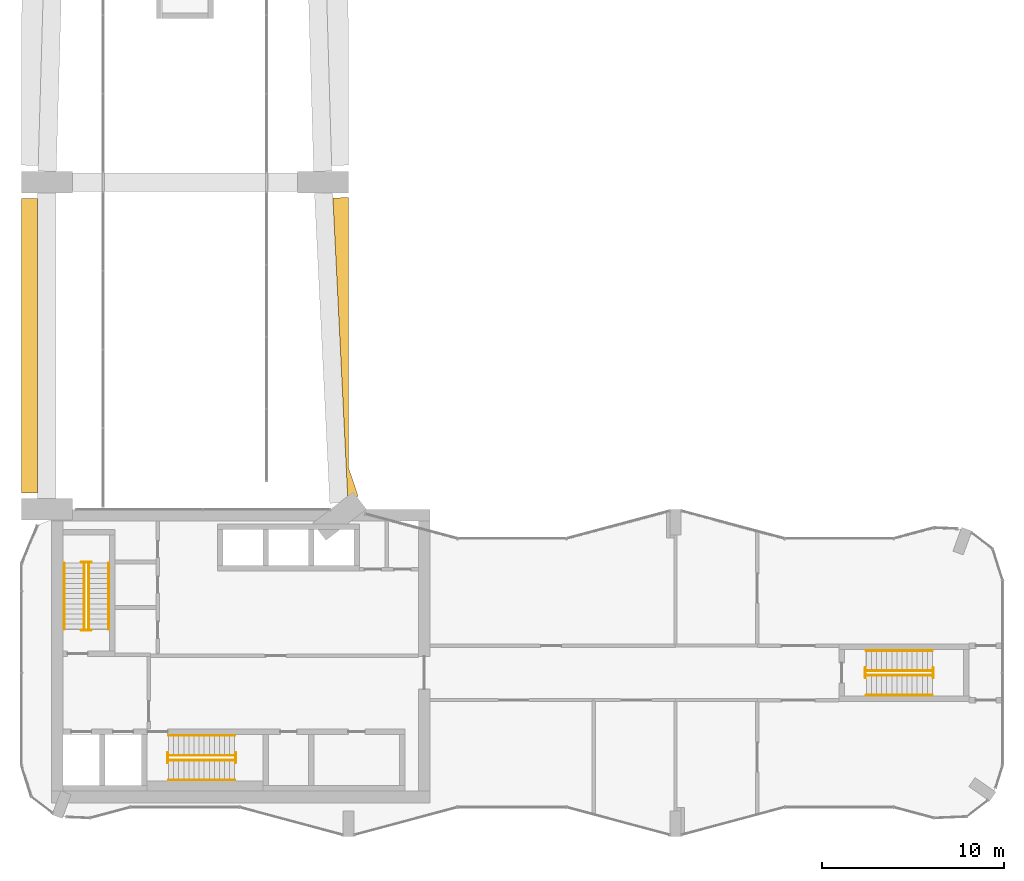
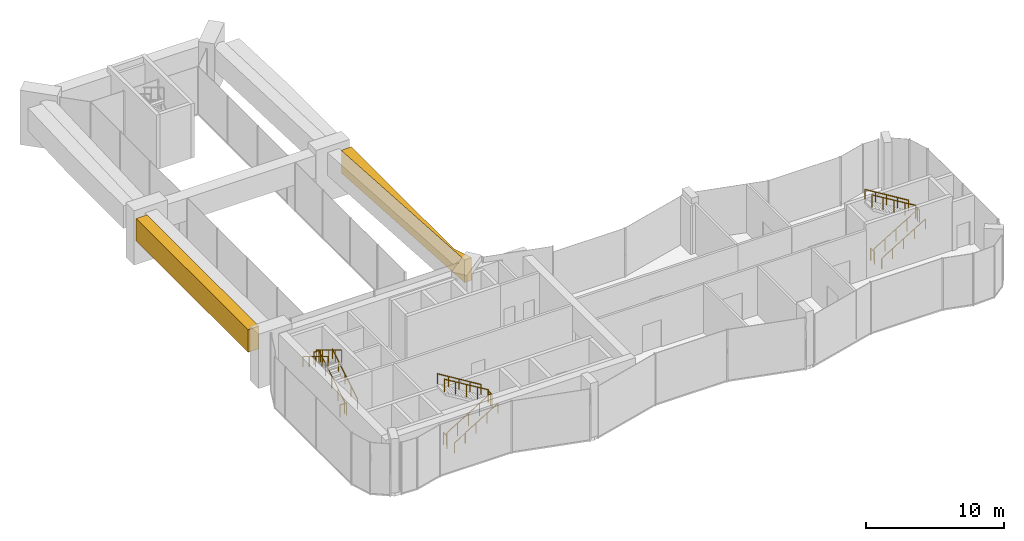
# One storey, part 12 of 13: 18 railings, 2 coverings.
"""IFC4 building model written with IfcOpenShell, lengths in metres."""

from ifc_helpers import new_model, si_unit, direction, frame, origin, origin_2d, place, context, subcontext, project, spatial, polyline, circle, outline, extrude, material, type_object, element, save


model = new_model("IFC4")

# Units and contexts
model_context = context("Model", 3, precision=1e-05, world=origin(), true_north=direction((0.0, 1.0)))
body_context = subcontext(model_context, "Body", "Model", "MODEL_VIEW")
ifc_project = project(units=[si_unit("LENGTHUNIT", "METRE"), si_unit("AREAUNIT", "SQUARE_METRE"), si_unit("VOLUMEUNIT", "CUBIC_METRE"), si_unit("PLANEANGLEUNIT", "RADIAN"), si_unit("MASSUNIT", "GRAM", prefix="KILO")], contexts=[model_context])

# Site, building, storey
site_placement = place(None, origin())
site = spatial("IfcSite", under=ifc_project, at=site_placement, CompositionType="ELEMENT")
building_placement = place(site_placement, origin())
building = spatial("IfcBuilding", under=site, at=building_placement, Name="Plateau Cross Towers", CompositionType="ELEMENT")
storey_placement = place(building_placement, frame((0.0, 0.0, 134.60009765625)))
storey = spatial("IfcBuildingStorey", under=building, at=storey_placement, Name="L34", CompositionType="ELEMENT", Elevation=134.60009765625)

# Coverings
ifc_material_1 = material(Name="Light precast concrete cladding C40/50", Category="concrete")
covering_type = type_object("IfcCoveringType", Name="Fascia girder cladding", PredefinedType="CLADDING", material=ifc_material_1)
covering_1_placement = place(storey_placement, frame((0.0, 0.0, 2.2998046875)))
element("IfcCovering", 1, at=covering_1_placement, inside=storey, type_object=covering_type, Name="Fascia cladding FT-W1-T1", PredefinedType="CLADDING", context=body_context, shape_type="SweptSolid", body=[
    extrude(outline(polyline([(0.89990234375, 35.10009765625), (0.89990234375, 18.89990234375), (0.0, 18.89990234375), (0.0, 35.10009765625), (0.89990234375, 35.10009765625)])), origin(), (0.0, 0.0, 1.0), 2.0),
])
covering_2_placement = place(storey_placement, frame((0.0, 0.0, 2.2998046875)))
element("IfcCovering", 2, at=covering_2_placement, inside=storey, type_object=covering_type, Name="Fascia cladding FT-E1-T1", PredefinedType="CLADDING", context=body_context, shape_type="SweptSolid", body=[
    extrude(outline(polyline([(17.143798828125, 35.125), (18.0, 35.16748046875), (18.0, 20.30224609375), (18.542236328125, 18.705322265625), (17.9580078125, 18.676513671875), (17.143798828125, 35.125)])), origin(), (0.0, 0.0, 1.0), 2.0),
])

# Railings
ifc_material_2 = material(Name="Stainless steel and toughened glass", Category="steel")
railing_type_1 = type_object("IfcRailingType", Name="RL-GUARD-1100", PredefinedType="GUARDRAIL", material=ifc_material_2)
railing_1_placement = place(storey_placement, frame((3.699951171875, 11.39990234375, 0.17138671875)))
element("IfcRailing", 3, at=railing_1_placement, inside=storey, type_object=railing_type_1, Name="L34 ST-1 stair guard 1", PredefinedType="GUARDRAIL", context=body_context, shape_type="SweptSolid", body=[
    extrude(circle(Radius=0.02392578125, at=origin_2d()), frame((0.0, 0.0, 1.076171875), z_axis=(0.0, 0.852865859571, 0.52213008492), x_axis=(-1.0, 0.0, 0.0)), (0.0, 0.0, 1.0), 4.26806640625),
    extrude(circle(Radius=0.02099609375, at=origin_2d()), origin(), (0.0, 0.0, 1.0), 1.052001953125),
    extrude(circle(Radius=0.02099609375, at=origin_2d()), frame((0.0, 0.91015625, 0.55712890625)), (0.0, 0.0, 1.0), 1.052001953125),
    extrude(circle(Radius=0.02099609375, at=origin_2d()), frame((0.0, 1.820068359375, 1.1142578125)), (0.0, 0.0, 1.0), 1.052001953125),
    extrude(circle(Radius=0.02099609375, at=origin_2d()), frame((0.0, 2.72998046875, 1.67138671875)), (0.0, 0.0, 1.0), 1.052001953125),
    extrude(circle(Radius=0.02099609375, at=origin_2d()), frame((0.0, 3.64013671875, 2.228515625)), (0.0, 0.0, 1.0), 1.052001953125),
])
railing_2_placement = place(storey_placement, frame((3.85009765625, 15.090087890625, 2.39990234375)))
element("IfcRailing", 4, at=railing_2_placement, inside=storey, type_object=railing_type_1, Name="L34 ST-1 stair guard 2", PredefinedType="GUARDRAIL", context=body_context, shape_type="SweptSolid", body=[
    extrude(circle(Radius=0.02392578125, at=origin_2d()), frame((0.0, 0.0, 1.076171875), z_axis=(-1.0, 0.0, 0.0), x_axis=(0.0, -1.0, 0.0)), (0.0, 0.0, 1.0), 0.550048828125),
    extrude(circle(Radius=0.02099609375, at=origin_2d()), origin(), (0.0, 0.0, 1.0), 1.052001953125),
    extrude(circle(Radius=0.02099609375, at=origin_2d()), frame((-0.550048828125, 0.0, 0.0)), (0.0, 0.0, 1.0), 1.052001953125),
])
railing_3_placement = place(storey_placement, frame((3.449951171875, 15.0400390625, 2.5712890625)))
element("IfcRailing", 5, at=railing_3_placement, inside=storey, type_object=railing_type_1, Name="L34 ST-1 stair guard 3", PredefinedType="GUARDRAIL", context=body_context, shape_type="SweptSolid", body=[
    extrude(circle(Radius=0.02392578125, at=origin_2d()), frame((0.0, 0.0, 1.076171875), z_axis=(0.0, -0.856000133688, 0.516975600126), x_axis=(1.0, 0.0, 0.0)), (0.0, 0.0, 1.0), 4.310791015625),
    extrude(circle(Radius=0.02099609375, at=origin_2d()), origin(), (0.0, 0.0, 1.0), 1.052001953125),
    extrude(circle(Radius=0.02099609375, at=origin_2d()), frame((0.0, -0.92236328125, 0.55712890625)), (0.0, 0.0, 1.0), 1.052001953125),
    extrude(circle(Radius=0.02099609375, at=origin_2d()), frame((0.0, -1.844970703125, 1.1142578125)), (0.0, 0.0, 1.0), 1.052001953125),
    extrude(circle(Radius=0.02099609375, at=origin_2d()), frame((0.0, -2.767578125, 1.67138671875)), (0.0, 0.0, 1.0), 1.052001953125),
    extrude(circle(Radius=0.02099609375, at=origin_2d()), frame((0.0, -3.68994140625, 2.228515625)), (0.0, 0.0, 1.0), 1.052001953125),
])
railing_4_placement = place(storey_placement, frame((3.85009765625, 11.35009765625, 0.0)))
element("IfcRailing", 6, at=railing_4_placement, inside=storey, type_object=railing_type_1, Name="L34 ST-1 stair guard 4", PredefinedType="GUARDRAIL", context=body_context, shape_type="SweptSolid", body=[
    extrude(circle(Radius=0.02392578125, at=origin_2d()), frame((0.0, 0.0, 1.076171875), z_axis=(-1.0, 0.0, 0.0), x_axis=(0.0, -1.0, 0.0)), (0.0, 0.0, 1.0), 0.550048828125),
    extrude(circle(Radius=0.02099609375, at=origin_2d()), origin(), (0.0, 0.0, 1.0), 1.052001953125),
    extrude(circle(Radius=0.02099609375, at=origin_2d()), frame((-0.550048828125, 0.0, 0.0)), (0.0, 0.0, 1.0), 1.052001953125),
])
railing_5_placement = place(storey_placement, frame((8.10009765625, 4.199951171875, 0.17138671875)))
element("IfcRailing", 7, at=railing_5_placement, inside=storey, type_object=railing_type_1, Name="L34 ST-2 stair guard 1", PredefinedType="GUARDRAIL", context=body_context, shape_type="SweptSolid", body=[
    extrude(circle(Radius=0.02392578125, at=origin_2d()), frame((0.0, 0.0, 1.076171875), z_axis=(0.852850264322, 0.0, 0.5221555579), x_axis=(0.0, 1.0, 0.0)), (0.0, 0.0, 1.0), 4.267822265625),
    extrude(circle(Radius=0.02099609375, at=origin_2d()), origin(), (0.0, 0.0, 1.0), 1.052001953125),
    extrude(circle(Radius=0.02099609375, at=origin_2d()), frame((0.909912109375, 0.0, 0.55712890625)), (0.0, 0.0, 1.0), 1.052001953125),
    extrude(circle(Radius=0.02099609375, at=origin_2d()), frame((1.81982421875, 0.0, 1.1142578125)), (0.0, 0.0, 1.0), 1.052001953125),
    extrude(circle(Radius=0.02099609375, at=origin_2d()), frame((2.72998046875, 0.0, 1.67138671875)), (0.0, 0.0, 1.0), 1.052001953125),
    extrude(circle(Radius=0.02099609375, at=origin_2d()), frame((3.639892578125, 0.0, 2.228515625)), (0.0, 0.0, 1.0), 1.052001953125),
])
railing_6_placement = place(storey_placement, frame((11.7900390625, 4.050048828125, 2.39990234375)))
element("IfcRailing", 8, at=railing_6_placement, inside=storey, type_object=railing_type_1, Name="L34 ST-2 stair guard 2", PredefinedType="GUARDRAIL", context=body_context, shape_type="SweptSolid", body=[
    extrude(circle(Radius=0.02392578125, at=origin_2d()), frame((0.0, 0.0, 1.076171875), z_axis=(0.0, 1.0, 0.0), x_axis=(-1.0, 0.0, 0.0)), (0.0, 0.0, 1.0), 0.550048828125),
    extrude(circle(Radius=0.02099609375, at=origin_2d()), origin(), (0.0, 0.0, 1.0), 1.052001953125),
    extrude(circle(Radius=0.02099609375, at=origin_2d()), frame((0.0, 0.550048828125, 0.0)), (0.0, 0.0, 1.0), 1.052001953125),
])
railing_7_placement = place(storey_placement, frame((11.739990234375, 4.449951171875, 2.5712890625)))
element("IfcRailing", 9, at=railing_7_placement, inside=storey, type_object=railing_type_1, Name="L34 ST-2 stair guard 3", PredefinedType="GUARDRAIL", context=body_context, shape_type="SweptSolid", body=[
    extrude(circle(Radius=0.02392578125, at=origin_2d()), frame((0.0, 0.0, 1.076171875), z_axis=(-0.856000133688, 0.0, 0.516975600126), x_axis=(0.0, -1.0, 0.0)), (0.0, 0.0, 1.0), 4.310791015625),
    extrude(circle(Radius=0.02099609375, at=origin_2d()), origin(), (0.0, 0.0, 1.0), 1.052001953125),
    extrude(circle(Radius=0.02099609375, at=origin_2d()), frame((-0.92236328125, 0.0, 0.55712890625)), (0.0, 0.0, 1.0), 1.052001953125),
    extrude(circle(Radius=0.02099609375, at=origin_2d()), frame((-1.844970703125, 0.0, 1.1142578125)), (0.0, 0.0, 1.0), 1.052001953125),
    extrude(circle(Radius=0.02099609375, at=origin_2d()), frame((-2.767578125, 0.0, 1.67138671875)), (0.0, 0.0, 1.0), 1.052001953125),
    extrude(circle(Radius=0.02099609375, at=origin_2d()), frame((-3.68994140625, 0.0, 2.228515625)), (0.0, 0.0, 1.0), 1.052001953125),
])
railing_8_placement = place(storey_placement, frame((8.050048828125, 4.050048828125, 0.0)))
element("IfcRailing", 10, at=railing_8_placement, inside=storey, type_object=railing_type_1, Name="L34 ST-2 stair guard 4", PredefinedType="GUARDRAIL", context=body_context, shape_type="SweptSolid", body=[
    extrude(circle(Radius=0.02392578125, at=origin_2d()), frame((0.0, 0.0, 1.076171875), z_axis=(0.0, 1.0, 0.0), x_axis=(-1.0, 0.0, 0.0)), (0.0, 0.0, 1.0), 0.550048828125),
    extrude(circle(Radius=0.02099609375, at=origin_2d()), origin(), (0.0, 0.0, 1.0), 1.052001953125),
    extrude(circle(Radius=0.02099609375, at=origin_2d()), frame((0.0, 0.550048828125, 0.0)), (0.0, 0.0, 1.0), 1.052001953125),
])
railing_9_placement = place(storey_placement, frame((46.5, 8.875, 0.17138671875)))
element("IfcRailing", 11, at=railing_9_placement, inside=storey, type_object=railing_type_1, Name="L34 ES-E stair guard 1", PredefinedType="GUARDRAIL", context=body_context, shape_type="SweptSolid", body=[
    extrude(circle(Radius=0.02392578125, at=origin_2d()), frame((0.0, 0.0, 1.076171875), z_axis=(0.852850264322, 0.0, 0.5221555579), x_axis=(0.0, 1.0, 0.0)), (0.0, 0.0, 1.0), 4.267822265625),
    extrude(circle(Radius=0.02099609375, at=origin_2d()), origin(), (0.0, 0.0, 1.0), 1.052001953125),
    extrude(circle(Radius=0.02099609375, at=origin_2d()), frame((0.909912109375, 0.0, 0.55712890625)), (0.0, 0.0, 1.0), 1.052001953125),
    extrude(circle(Radius=0.02099609375, at=origin_2d()), frame((1.81982421875, 0.0, 1.1142578125)), (0.0, 0.0, 1.0), 1.052001953125),
    extrude(circle(Radius=0.02099609375, at=origin_2d()), frame((2.72998046875, 0.0, 1.67138671875)), (0.0, 0.0, 1.0), 1.052001953125),
    extrude(circle(Radius=0.02099609375, at=origin_2d()), frame((3.639892578125, 0.0, 2.228515625)), (0.0, 0.0, 1.0), 1.052001953125),
])
railing_10_placement = place(storey_placement, frame((50.18994140625, 8.72509765625, 2.39990234375)))
element("IfcRailing", 12, at=railing_10_placement, inside=storey, type_object=railing_type_1, Name="L34 ES-E stair guard 2", PredefinedType="GUARDRAIL", context=body_context, shape_type="SweptSolid", body=[
    extrude(circle(Radius=0.02392578125, at=origin_2d()), frame((0.0, 0.0, 1.076171875), z_axis=(0.0, 1.0, 0.0), x_axis=(-1.0, 0.0, 0.0)), (0.0, 0.0, 1.0), 0.5498046875),
    extrude(circle(Radius=0.02099609375, at=origin_2d()), origin(), (0.0, 0.0, 1.0), 1.052001953125),
    extrude(circle(Radius=0.02099609375, at=origin_2d()), frame((0.0, 0.5498046875, 0.0)), (0.0, 0.0, 1.0), 1.052001953125),
])
railing_11_placement = place(storey_placement, frame((50.139892578125, 9.125, 2.5712890625)))
element("IfcRailing", 13, at=railing_11_placement, inside=storey, type_object=railing_type_1, Name="L34 ES-E stair guard 3", PredefinedType="GUARDRAIL", context=body_context, shape_type="SweptSolid", body=[
    extrude(circle(Radius=0.02392578125, at=origin_2d()), frame((0.0, 0.0, 1.076171875), z_axis=(-0.856000133688, 0.0, 0.516975600126), x_axis=(0.0, -1.0, 0.0)), (0.0, 0.0, 1.0), 4.310791015625),
    extrude(circle(Radius=0.02099609375, at=origin_2d()), origin(), (0.0, 0.0, 1.0), 1.052001953125),
    extrude(circle(Radius=0.02099609375, at=origin_2d()), frame((-0.92236328125, 0.0, 0.55712890625)), (0.0, 0.0, 1.0), 1.052001953125),
    extrude(circle(Radius=0.02099609375, at=origin_2d()), frame((-1.844970703125, 0.0, 1.1142578125)), (0.0, 0.0, 1.0), 1.052001953125),
    extrude(circle(Radius=0.02099609375, at=origin_2d()), frame((-2.767578125, 0.0, 1.67138671875)), (0.0, 0.0, 1.0), 1.052001953125),
    extrude(circle(Radius=0.02099609375, at=origin_2d()), frame((-3.68994140625, 0.0, 2.228515625)), (0.0, 0.0, 1.0), 1.052001953125),
])
railing_12_placement = place(storey_placement, frame((46.449951171875, 8.72509765625, 0.0)))
element("IfcRailing", 14, at=railing_12_placement, inside=storey, type_object=railing_type_1, Name="L34 ES-E stair guard 4", PredefinedType="GUARDRAIL", context=body_context, shape_type="SweptSolid", body=[
    extrude(circle(Radius=0.02392578125, at=origin_2d()), frame((0.0, 0.0, 1.076171875), z_axis=(0.0, 1.0, 0.0), x_axis=(-1.0, 0.0, 0.0)), (0.0, 0.0, 1.0), 0.5498046875),
    extrude(circle(Radius=0.02099609375, at=origin_2d()), origin(), (0.0, 0.0, 1.0), 1.052001953125),
    extrude(circle(Radius=0.02099609375, at=origin_2d()), frame((0.0, 0.5498046875, 0.0)), (0.0, 0.0, 1.0), 1.052001953125),
])
ifc_material_3 = material(Name="Black anodised aluminium", Category="aluminium")
railing_type_2 = type_object("IfcRailingType", Name="RL-HANDRAIL-900", PredefinedType="HANDRAIL", material=ifc_material_3)
railing_13_placement = place(storey_placement, frame((4.800048828125, 11.39990234375, 0.17138671875)))
element("IfcRailing", 15, at=railing_13_placement, inside=storey, type_object=railing_type_2, Name="L34 ST-1 stair handrail 1", PredefinedType="HANDRAIL", context=body_context, shape_type="SweptSolid", body=[
    extrude(circle(Radius=0.02392578125, at=origin_2d()), frame((0.0, 0.0, 0.8759765625), z_axis=(0.0, 0.852865859571, 0.52213008492), x_axis=(-1.0, 0.0, 0.0)), (0.0, 0.0, 1.0), 4.26806640625),
    extrude(circle(Radius=0.02099609375, at=origin_2d()), origin(), (0.0, 0.0, 1.0), 0.851806640625),
    extrude(circle(Radius=0.02099609375, at=origin_2d()), frame((0.0, 0.91015625, 0.55712890625)), (0.0, 0.0, 1.0), 0.851806640625),
    extrude(circle(Radius=0.02099609375, at=origin_2d()), frame((0.0, 1.820068359375, 1.1142578125)), (0.0, 0.0, 1.0), 0.851806640625),
    extrude(circle(Radius=0.02099609375, at=origin_2d()), frame((0.0, 2.72998046875, 1.67138671875)), (0.0, 0.0, 1.0), 0.851806640625),
    extrude(circle(Radius=0.02099609375, at=origin_2d()), frame((0.0, 3.64013671875, 2.228515625)), (0.0, 0.0, 1.0), 0.851806640625),
])
railing_14_placement = place(storey_placement, frame((2.35009765625, 15.0400390625, 2.5712890625)))
element("IfcRailing", 16, at=railing_14_placement, inside=storey, type_object=railing_type_2, Name="L34 ST-1 stair handrail 2", PredefinedType="HANDRAIL", context=body_context, shape_type="SweptSolid", body=[
    extrude(circle(Radius=0.02392578125, at=origin_2d()), frame((0.0, 0.0, 0.8759765625), z_axis=(0.0, -0.852865859571, 0.52213008492), x_axis=(1.0, 0.0, 0.0)), (0.0, 0.0, 1.0), 4.26806640625),
    extrude(circle(Radius=0.02099609375, at=origin_2d()), origin(), (0.0, 0.0, 1.0), 0.851806640625),
    extrude(circle(Radius=0.02099609375, at=origin_2d()), frame((0.0, -0.91015625, 0.55712890625)), (0.0, 0.0, 1.0), 0.851806640625),
    extrude(circle(Radius=0.02099609375, at=origin_2d()), frame((0.0, -1.820068359375, 1.1142578125)), (0.0, 0.0, 1.0), 0.851806640625),
    extrude(circle(Radius=0.02099609375, at=origin_2d()), frame((0.0, -2.72998046875, 1.67138671875)), (0.0, 0.0, 1.0), 0.851806640625),
    extrude(circle(Radius=0.02099609375, at=origin_2d()), frame((0.0, -3.64013671875, 2.228515625)), (0.0, 0.0, 1.0), 0.851806640625),
])
railing_15_placement = place(storey_placement, frame((8.10009765625, 3.10009765625, 0.17138671875)))
element("IfcRailing", 17, at=railing_15_placement, inside=storey, type_object=railing_type_2, Name="L34 ST-2 stair handrail 1", PredefinedType="HANDRAIL", context=body_context, shape_type="SweptSolid", body=[
    extrude(circle(Radius=0.02392578125, at=origin_2d()), frame((0.0, 0.0, 0.8759765625), z_axis=(0.852850264322, 0.0, 0.5221555579), x_axis=(0.0, 1.0, 0.0)), (0.0, 0.0, 1.0), 4.267822265625),
    extrude(circle(Radius=0.02099609375, at=origin_2d()), origin(), (0.0, 0.0, 1.0), 0.851806640625),
    extrude(circle(Radius=0.02099609375, at=origin_2d()), frame((0.909912109375, 0.0, 0.55712890625)), (0.0, 0.0, 1.0), 0.851806640625),
    extrude(circle(Radius=0.02099609375, at=origin_2d()), frame((1.81982421875, 0.0, 1.1142578125)), (0.0, 0.0, 1.0), 0.851806640625),
    extrude(circle(Radius=0.02099609375, at=origin_2d()), frame((2.72998046875, 0.0, 1.67138671875)), (0.0, 0.0, 1.0), 0.851806640625),
    extrude(circle(Radius=0.02099609375, at=origin_2d()), frame((3.639892578125, 0.0, 2.228515625)), (0.0, 0.0, 1.0), 0.851806640625),
])
railing_16_placement = place(storey_placement, frame((11.739990234375, 5.550048828125, 2.5712890625)))
element("IfcRailing", 18, at=railing_16_placement, inside=storey, type_object=railing_type_2, Name="L34 ST-2 stair handrail 2", PredefinedType="HANDRAIL", context=body_context, shape_type="SweptSolid", body=[
    extrude(circle(Radius=0.02392578125, at=origin_2d()), frame((0.0, 0.0, 0.8759765625), z_axis=(-0.852850264322, 0.0, 0.5221555579), x_axis=(0.0, -1.0, 0.0)), (0.0, 0.0, 1.0), 4.267822265625),
    extrude(circle(Radius=0.02099609375, at=origin_2d()), origin(), (0.0, 0.0, 1.0), 0.851806640625),
    extrude(circle(Radius=0.02099609375, at=origin_2d()), frame((-0.909912109375, 0.0, 0.55712890625)), (0.0, 0.0, 1.0), 0.851806640625),
    extrude(circle(Radius=0.02099609375, at=origin_2d()), frame((-1.81982421875, 0.0, 1.1142578125)), (0.0, 0.0, 1.0), 0.851806640625),
    extrude(circle(Radius=0.02099609375, at=origin_2d()), frame((-2.72998046875, 0.0, 1.67138671875)), (0.0, 0.0, 1.0), 0.851806640625),
    extrude(circle(Radius=0.02099609375, at=origin_2d()), frame((-3.639892578125, 0.0, 2.228515625)), (0.0, 0.0, 1.0), 0.851806640625),
])
railing_17_placement = place(storey_placement, frame((46.5, 7.77490234375, 0.17138671875)))
element("IfcRailing", 19, at=railing_17_placement, inside=storey, type_object=railing_type_2, Name="L34 ES-E stair handrail 1", PredefinedType="HANDRAIL", context=body_context, shape_type="SweptSolid", body=[
    extrude(circle(Radius=0.02392578125, at=origin_2d()), frame((0.0, 0.0, 0.8759765625), z_axis=(0.852850264322, 0.0, 0.5221555579), x_axis=(0.0, 1.0, 0.0)), (0.0, 0.0, 1.0), 4.267822265625),
    extrude(circle(Radius=0.02099609375, at=origin_2d()), origin(), (0.0, 0.0, 1.0), 0.851806640625),
    extrude(circle(Radius=0.02099609375, at=origin_2d()), frame((0.909912109375, 0.0, 0.55712890625)), (0.0, 0.0, 1.0), 0.851806640625),
    extrude(circle(Radius=0.02099609375, at=origin_2d()), frame((1.81982421875, 0.0, 1.1142578125)), (0.0, 0.0, 1.0), 0.851806640625),
    extrude(circle(Radius=0.02099609375, at=origin_2d()), frame((2.72998046875, 0.0, 1.67138671875)), (0.0, 0.0, 1.0), 0.851806640625),
    extrude(circle(Radius=0.02099609375, at=origin_2d()), frame((3.639892578125, 0.0, 2.228515625)), (0.0, 0.0, 1.0), 0.851806640625),
])
railing_18_placement = place(storey_placement, frame((50.139892578125, 10.22509765625, 2.5712890625)))
element("IfcRailing", 20, at=railing_18_placement, inside=storey, type_object=railing_type_2, Name="L34 ES-E stair handrail 2", PredefinedType="HANDRAIL", context=body_context, shape_type="SweptSolid", body=[
    extrude(circle(Radius=0.02392578125, at=origin_2d()), frame((0.0, 0.0, 0.8759765625), z_axis=(-0.852850264322, 0.0, 0.5221555579), x_axis=(0.0, -1.0, 0.0)), (0.0, 0.0, 1.0), 4.267822265625),
    extrude(circle(Radius=0.02099609375, at=origin_2d()), origin(), (0.0, 0.0, 1.0), 0.851806640625),
    extrude(circle(Radius=0.02099609375, at=origin_2d()), frame((-0.909912109375, 0.0, 0.55712890625)), (0.0, 0.0, 1.0), 0.851806640625),
    extrude(circle(Radius=0.02099609375, at=origin_2d()), frame((-1.81982421875, 0.0, 1.1142578125)), (0.0, 0.0, 1.0), 0.851806640625),
    extrude(circle(Radius=0.02099609375, at=origin_2d()), frame((-2.72998046875, 0.0, 1.67138671875)), (0.0, 0.0, 1.0), 0.851806640625),
    extrude(circle(Radius=0.02099609375, at=origin_2d()), frame((-3.639892578125, 0.0, 2.228515625)), (0.0, 0.0, 1.0), 0.851806640625),
])

save(model, "model.ifc")
